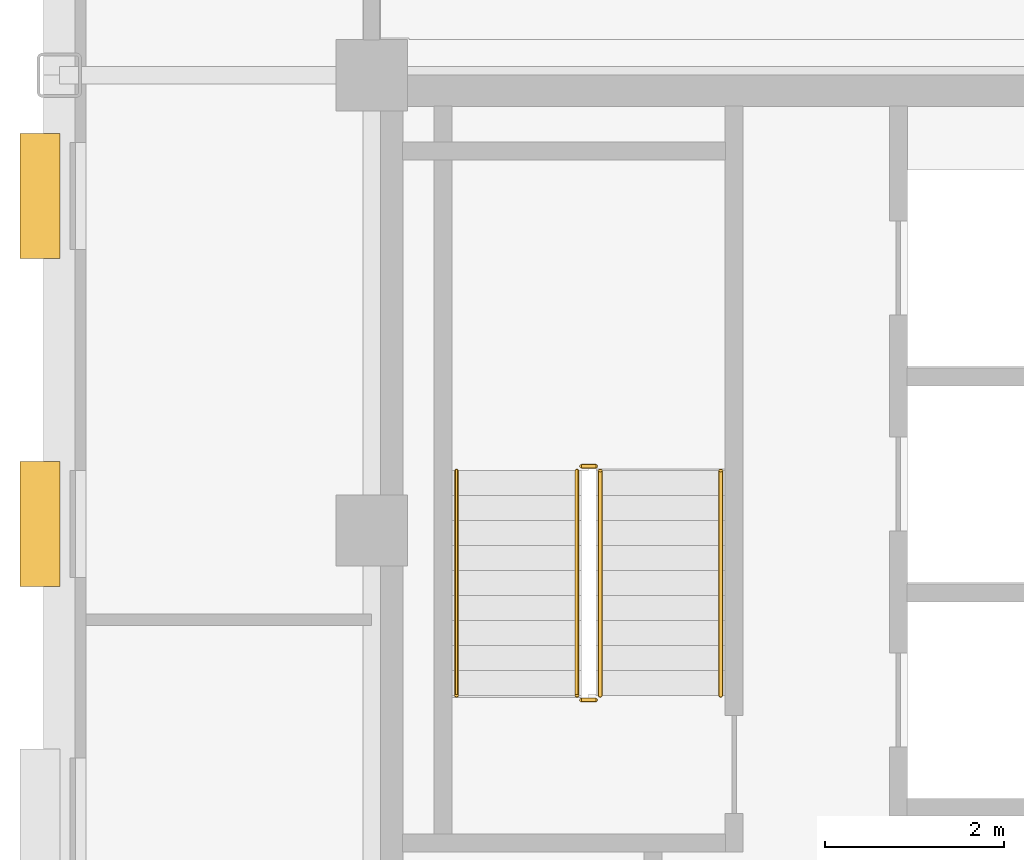
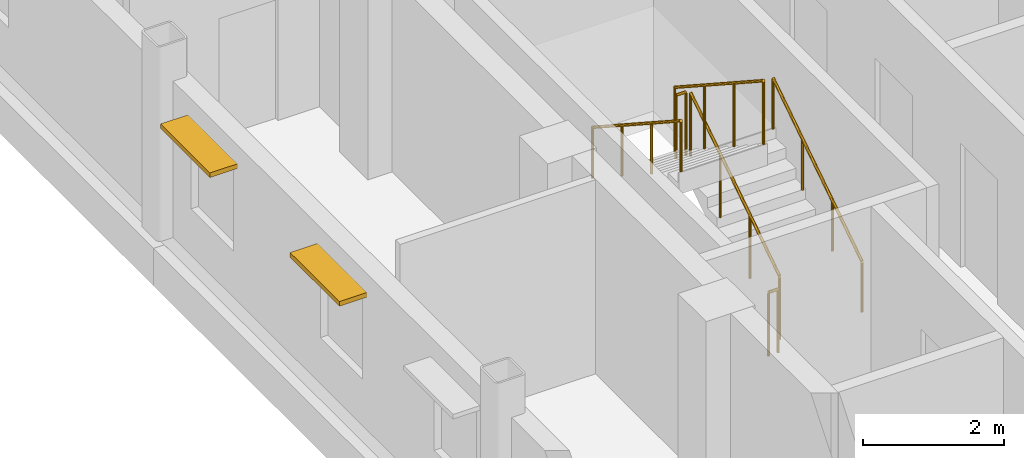
# One storey, part 11 of 13: 6 railings, 2 shading devices.
"""IFC4 building model written with IfcOpenShell, lengths in metres."""

from ifc_helpers import new_model, si_unit, direction, frame, origin, origin_2d, place, context, subcontext, project, spatial, rectangle, circle, extrude, source, transform, mapped, material, type_object, type_shapes, element, save


model = new_model("IFC4")

# Units and contexts
model_context = context("Model", 3, precision=1e-05, world=origin(), true_north=direction((0.0, 1.0)))
body_context = subcontext(model_context, "Body", "Model", "MODEL_VIEW")
ifc_project = project(units=[si_unit("LENGTHUNIT", "METRE"), si_unit("AREAUNIT", "SQUARE_METRE"), si_unit("VOLUMEUNIT", "CUBIC_METRE"), si_unit("PLANEANGLEUNIT", "RADIAN"), si_unit("MASSUNIT", "GRAM", prefix="KILO")], contexts=[model_context])

# Site, building, storey
site_placement = place(None, origin())
site = spatial("IfcSite", under=ifc_project, at=site_placement, CompositionType="ELEMENT")
building_placement = place(site_placement, origin())
building = spatial("IfcBuilding", under=site, at=building_placement, Name="Nuvemarco Arch Tower", CompositionType="ELEMENT")
storey_placement = place(building_placement, frame((0.0, 0.0, 257.949951171875)))
storey = spatial("IfcBuildingStorey", under=building, at=storey_placement, Name="L68", CompositionType="ELEMENT", Elevation=257.949951171875)

# Railings
ifc_material_1 = material(Name="Brushed stainless steel handrail", Category="steel")
railing_type_1 = type_object("IfcRailingType", Name="RL-HANDRAIL-900", PredefinedType="HANDRAIL", material=ifc_material_1)
railing_1_placement = place(storey_placement, frame((-13.590087890625, 2.64990234375, 0.1826171875)))
element("IfcRailing", 1, at=railing_1_placement, inside=storey, type_object=railing_type_1, Name="L68 ST-1 stair handrail 1", PredefinedType="HANDRAIL", context=body_context, shape_type="SweptSolid", body=[
    extrude(circle(Radius=0.02392578125, at=origin_2d()), frame((0.0, 0.0, 0.8759765625), z_axis=(0.0, 0.837786554691, 0.545997883492), x_axis=(-1.0, 0.0, 0.0)), (0.0, 0.0, 1.0), 3.008056640625),
    extrude(circle(Radius=0.02099609375, at=origin_2d()), origin(), (0.0, 0.0, 1.0), 0.851806640625),
    extrude(circle(Radius=0.02099609375, at=origin_2d()), frame((0.0, 0.840087890625, 0.54736328125)), (0.0, 0.0, 1.0), 0.851806640625),
    extrude(circle(Radius=0.02099609375, at=origin_2d()), frame((0.0, 1.679931640625, 1.094970703125)), (0.0, 0.0, 1.0), 0.851806640625),
    extrude(circle(Radius=0.02099609375, at=origin_2d()), frame((0.0, 2.52001953125, 1.642333984375)), (0.0, 0.0, 1.0), 0.851806640625),
])
railing_2_placement = place(storey_placement, frame((-16.550048828125, 5.169921875, 2.007568359375)))
element("IfcRailing", 2, at=railing_2_placement, inside=storey, type_object=railing_type_1, Name="L68 ST-1 stair handrail 2", PredefinedType="HANDRAIL", context=body_context, shape_type="SweptSolid", body=[
    extrude(circle(Radius=0.02392578125, at=origin_2d()), frame((0.0, 0.0, 0.8759765625), z_axis=(0.0, -0.837749427056, 0.546054848405), x_axis=(1.0, 0.0, 0.0)), (0.0, 0.0, 1.0), 3.008056640625),
    extrude(circle(Radius=0.02099609375, at=origin_2d()), origin(), (0.0, 0.0, 1.0), 0.851806640625),
    extrude(circle(Radius=0.02099609375, at=origin_2d()), frame((0.0, -0.840087890625, 0.547607421875)), (0.0, 0.0, 1.0), 0.851806640625),
    extrude(circle(Radius=0.02099609375, at=origin_2d()), frame((0.0, -1.679931640625, 1.094970703125)), (0.0, 0.0, 1.0), 0.851806640625),
    extrude(circle(Radius=0.02099609375, at=origin_2d()), frame((0.0, -2.52001953125, 1.642578125)), (0.0, 0.0, 1.0), 0.851806640625),
])
ifc_material_2 = material(Name="Painted balustrade steel S355", Category="steel")
railing_type_2 = type_object("IfcRailingType", Name="RL-STAIR-GUARD", PredefinedType="GUARDRAIL", material=ifc_material_2)
railing_3_placement = place(storey_placement, frame((-14.93994140625, 2.64990234375, 0.1826171875)))
element("IfcRailing", 3, at=railing_3_placement, inside=storey, type_object=railing_type_2, Name="L68 ST-1 stair guard 1", PredefinedType="GUARDRAIL", context=body_context, shape_type="SweptSolid", body=[
    extrude(circle(Radius=0.02392578125, at=origin_2d()), frame((0.0, 0.0, 1.09619140625), z_axis=(0.0, 0.837786554691, 0.545997883492), x_axis=(-1.0, 0.0, 0.0)), (0.0, 0.0, 1.0), 3.008056640625),
    extrude(circle(Radius=0.02099609375, at=origin_2d()), origin(), (0.0, 0.0, 1.0), 1.072021484375),
    extrude(circle(Radius=0.02099609375, at=origin_2d()), frame((0.0, 0.840087890625, 0.54736328125)), (0.0, 0.0, 1.0), 1.072021484375),
    extrude(circle(Radius=0.02099609375, at=origin_2d()), frame((0.0, 1.679931640625, 1.094970703125)), (0.0, 0.0, 1.0), 1.072021484375),
    extrude(circle(Radius=0.02099609375, at=origin_2d()), frame((0.0, 2.52001953125, 1.642333984375)), (0.0, 0.0, 1.0), 1.072021484375),
])
railing_4_placement = place(storey_placement, frame((-14.989990234375, 5.219970703125, 1.824951171875)))
element("IfcRailing", 4, at=railing_4_placement, inside=storey, type_object=railing_type_2, Name="L68 ST-1 stair guard 2", PredefinedType="GUARDRAIL", context=body_context, shape_type="SweptSolid", body=[
    extrude(circle(Radius=0.02392578125, at=origin_2d()), frame((0.0, 0.0, 1.09619140625), z_axis=(-1.0, 0.0, 0.0), x_axis=(0.0, -1.0, 0.0)), (0.0, 0.0, 1.0), 0.159912109375),
    extrude(circle(Radius=0.02099609375, at=origin_2d()), origin(), (0.0, 0.0, 1.0), 1.072021484375),
    extrude(circle(Radius=0.02099609375, at=origin_2d()), frame((-0.159912109375, 0.0, 0.0)), (0.0, 0.0, 1.0), 1.072021484375),
])
railing_5_placement = place(storey_placement, frame((-15.199951171875, 5.169921875, 2.007568359375)))
element("IfcRailing", 5, at=railing_5_placement, inside=storey, type_object=railing_type_2, Name="L68 ST-1 stair guard 3", PredefinedType="GUARDRAIL", context=body_context, shape_type="SweptSolid", body=[
    extrude(circle(Radius=0.02392578125, at=origin_2d()), frame((0.0, 0.0, 1.09619140625), z_axis=(0.0, -0.837749427056, 0.546054848405), x_axis=(1.0, 0.0, 0.0)), (0.0, 0.0, 1.0), 3.008056640625),
    extrude(circle(Radius=0.02099609375, at=origin_2d()), origin(), (0.0, 0.0, 1.0), 1.072021484375),
    extrude(circle(Radius=0.02099609375, at=origin_2d()), frame((0.0, -0.840087890625, 0.547607421875)), (0.0, 0.0, 1.0), 1.072021484375),
    extrude(circle(Radius=0.02099609375, at=origin_2d()), frame((0.0, -1.679931640625, 1.094970703125)), (0.0, 0.0, 1.0), 1.072021484375),
    extrude(circle(Radius=0.02099609375, at=origin_2d()), frame((0.0, -2.52001953125, 1.642578125)), (0.0, 0.0, 1.0), 1.072021484375),
])
railing_6_placement = place(storey_placement, frame((-14.989990234375, 2.60009765625, 0.0)))
element("IfcRailing", 6, at=railing_6_placement, inside=storey, type_object=railing_type_2, Name="L68 ST-1 stair guard 4", PredefinedType="GUARDRAIL", context=body_context, shape_type="SweptSolid", body=[
    extrude(circle(Radius=0.02392578125, at=origin_2d()), frame((0.0, 0.0, 1.09619140625), z_axis=(-1.0, 0.0, 0.0), x_axis=(0.0, -1.0, 0.0)), (0.0, 0.0, 1.0), 0.159912109375),
    extrude(circle(Radius=0.02099609375, at=origin_2d()), origin(), (0.0, 0.0, 1.0), 1.072021484375),
    extrude(circle(Radius=0.02099609375, at=origin_2d()), frame((-0.159912109375, 0.0, 0.0)), (0.0, 0.0, 1.0), 1.072021484375),
])

# Shading devices
ifc_material_3 = material(Name="Anodised aluminium 6063-T6", Category="aluminium")
shading_device_type = type_object("IfcShadingDeviceType", Name="SHD-BRISE-NARROW", PredefinedType="USERDEFINED", material=ifc_material_3)
shared_shape = source(origin(), body_context, "Body", "SweptSolid", [
    extrude(rectangle(XDim=1.39990234375, YDim=0.449951171875, at=origin_2d()), origin(), (0.0, 0.0, 1.0), 0.080078125),
])
type_shapes(shading_device_type, [shared_shape])
for number, where, z_axis, x_axis, name in (
    (7, (-21.215087890625, 4.572509765625, 2.284912109375), (0.0, 0.0, 1.0), (0.0, 1.0, 0.0), "L68 horizontal brise-soleil sunshade"),
    (8, (-21.215087890625, 8.2451171875, 2.284912109375), (0.0, 0.0, 1.0), (0.0, 1.0, 0.0), "L68 horizontal brise-soleil sunshade"),
):
    element("IfcShadingDevice", number, at=place(storey_placement, frame(where, z_axis=z_axis, x_axis=x_axis)), inside=storey, type_object=shading_device_type, Name=name, ObjectType="SUNSHADE", PredefinedType="USERDEFINED", context=body_context, shape_type="MappedRepresentation", body=[
        mapped(shared_shape, transform((0.0, 0.0, 0.0), scale=1.0)),
    ])

save(model, "model.ifc")
